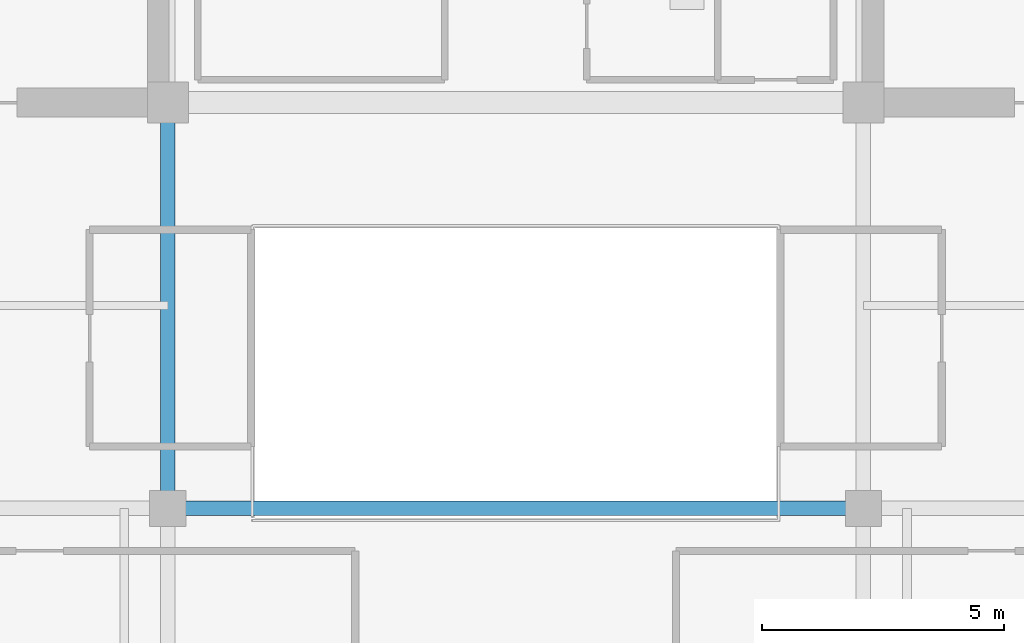
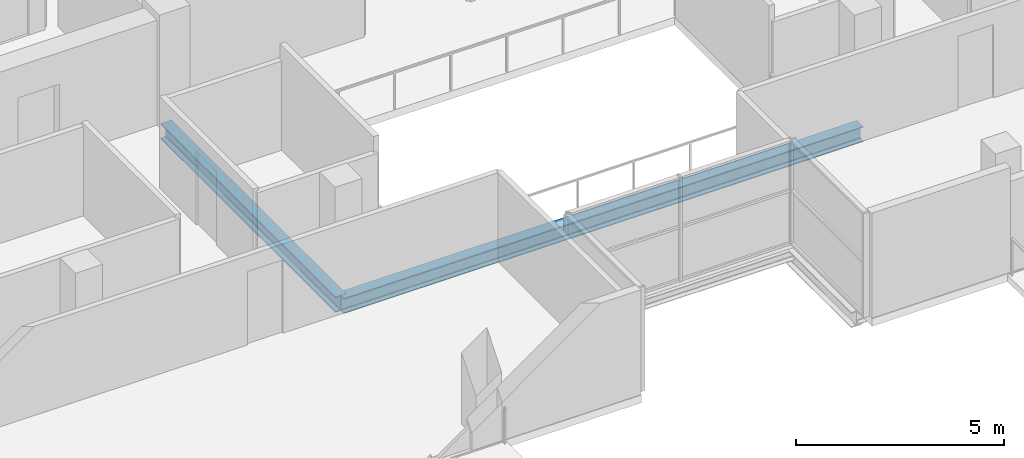
# One storey, part 5 of 22: 2 beams.
"""IFC4 building model written with IfcOpenShell, lengths in metres."""

from ifc_helpers import new_model, si_unit, direction, frame, origin, origin_2d, place, context, subcontext, project, spatial, i_section, extrude, material, material_profile, profile_set, type_object, element, save


model = new_model("IFC4")

# Units and contexts
model_context = context("Model", 3, precision=1e-05, world=origin(), true_north=direction((0.0, 1.0)))
body_context = subcontext(model_context, "Body", "Model", "MODEL_VIEW")
ifc_project = project(units=[si_unit("LENGTHUNIT", "METRE"), si_unit("AREAUNIT", "SQUARE_METRE"), si_unit("VOLUMEUNIT", "CUBIC_METRE"), si_unit("PLANEANGLEUNIT", "RADIAN"), si_unit("MASSUNIT", "GRAM", prefix="KILO")], contexts=[model_context])

# Site, building, storey
site_placement = place(None, origin())
site = spatial("IfcSite", under=ifc_project, at=site_placement, CompositionType="ELEMENT")
building_placement = place(site_placement, origin())
building = spatial("IfcBuilding", under=site, at=building_placement, Name="Zarnakvel Exchange Tower", CompositionType="ELEMENT")
storey_placement = place(building_placement, frame((0.0, 0.0, 215.5)))
storey = spatial("IfcBuildingStorey", under=building, at=storey_placement, Name="L60", CompositionType="ELEMENT", Elevation=215.5)

# Beams
ifc_material = material(Name="Steel S355", Category="steel")
ifc_material_profile = material_profile(ifc_material, i_section(OverallWidth=0.300048828125, OverallDepth=0.449951171875, WebThickness=0.013916015625, FlangeThickness=0.02587890625, FilletRadius=0.027099609375, at=origin_2d()))
ifc_profile_set = profile_set([ifc_material_profile], Name="Steel S355")
beam_type = type_object("IfcBeamType", Name="G-07", PredefinedType="BEAM", material=ifc_profile_set)
beam_1_placement = place(storey_placement, frame((-7.199951171875, -9.60009765625, -0.449951171875), z_axis=(1.0, 0.0, 0.0), x_axis=(0.0, 1.0, 0.0)))
element("IfcBeam", 1, at=beam_1_placement, inside=storey, type_object=beam_type, Name="L60 Tower E-W Frame Beam", PredefinedType="BEAM", context=body_context, shape_type="SweptSolid", body=[
    extrude(i_section(OverallWidth=0.300048828125, OverallDepth=0.449951171875, WebThickness=0.013916015625, FlangeThickness=0.02587890625, FilletRadius=0.027099609375, at=origin_2d()), origin(), (0.0, 0.0, 1.0), 14.39990234375),
])
beam_2_placement = place(storey_placement, frame((-7.199951171875, -9.60009765625, -0.449951171875), z_axis=(0.0, 1.0, 0.0), x_axis=(-1.0, 0.0, 0.0)))
element("IfcBeam", 2, at=beam_2_placement, inside=storey, type_object=beam_type, Name="L60 Tower N-S Frame Beam", PredefinedType="BEAM", context=body_context, shape_type="SweptSolid", body=[
    extrude(i_section(OverallWidth=0.300048828125, OverallDepth=0.449951171875, WebThickness=0.013916015625, FlangeThickness=0.02587890625, FilletRadius=0.027099609375, at=origin_2d()), origin(), (0.0, 0.0, 1.0), 8.400146484375),
])

save(model, "model.ifc")
